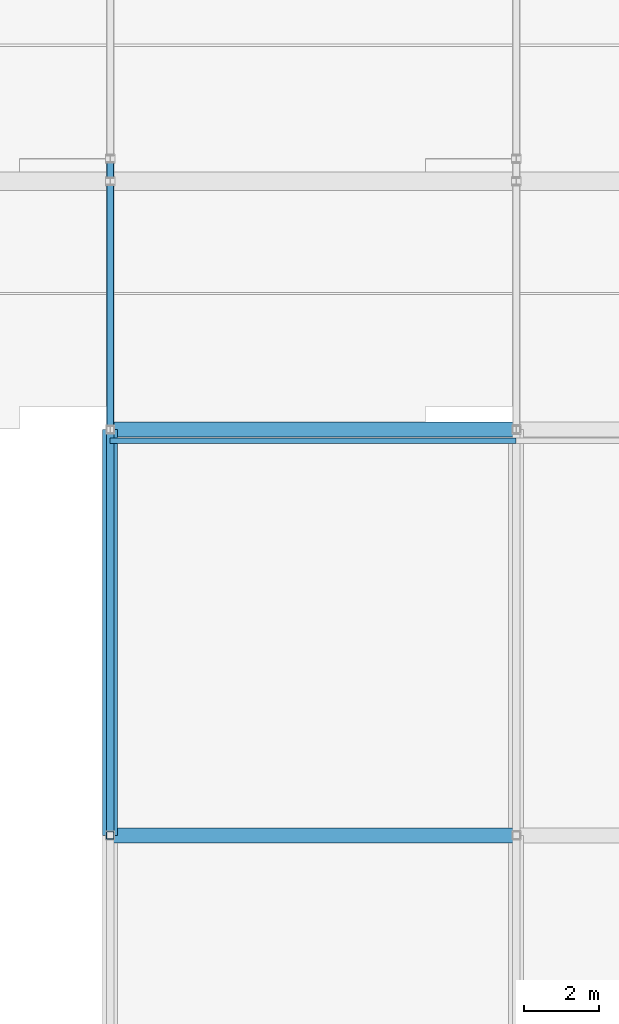
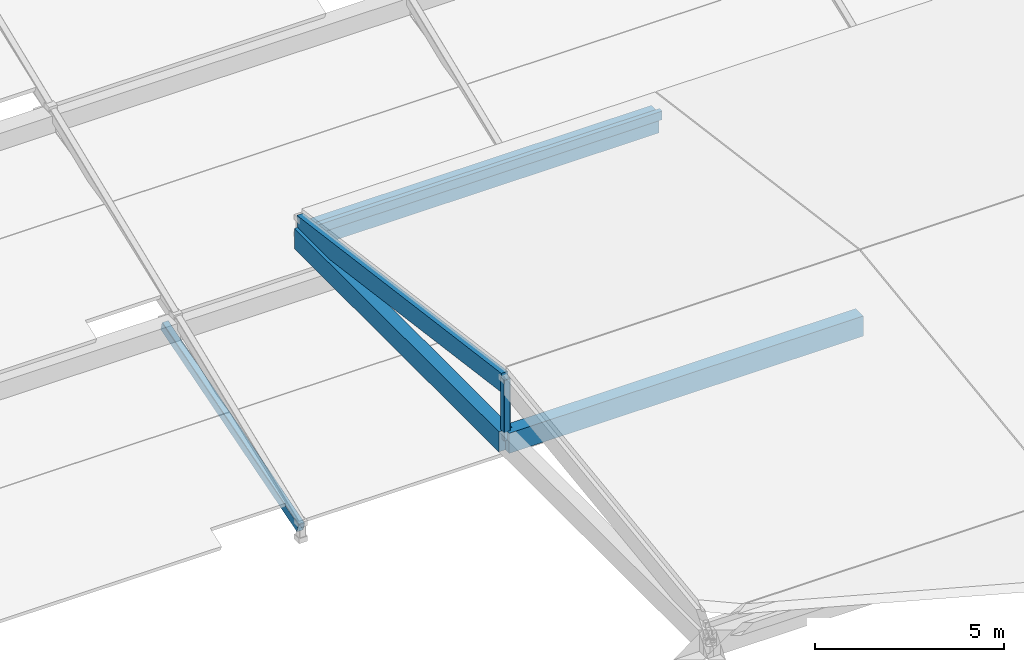
# One storey, part 56 of 112: 4 members, 3 beams.
"""IFC4 building model written with IfcOpenShell, lengths in metres."""

import ifcopenshell
import ifcopenshell.guid

model = None  # the IFC model being written
_history = None  # IfcOwnerHistory: only IFC2X3 demands one
_inside = {}  # id of a spatial element -> (the spatial element, [elements in it])
_under = {}  # id of a project, library or spatial element -> (it, [spatial elements below it])
_declared = {}  # id of a project -> (the project, [libraries it declares])
_typed = {}  # id of a type object -> (the type object, [elements of that type])
_made_of = {}  # id of a material, layer set ... -> (it, [elements and type objects made of it])


def new_model(schema):
    """Start an empty IFC model of exactly this schema.

    Asked for "IFC4X3", IfcOpenShell would pick the latest addendum, in which some entities
    have other attributes; the version numbers below select the first issue.
    IFC2X3 requires an IfcOwnerHistory on every rooted entity: one is made here for all.
    """
    global model, _history
    if schema == "IFC4X3":
        model = ifcopenshell.file(schema_version=(4, 3, 0, 0))
    else:
        model = ifcopenshell.file(schema=schema)
    _inside.clear()
    _under.clear()
    _declared.clear()
    _typed.clear()
    _made_of.clear()
    _history = None
    if model.schema == "IFC2X3":
        org = make("IfcOrganization", Name="unknown")
        user = make(
            "IfcPersonAndOrganization",
            ThePerson=make("IfcPerson", FamilyName="unknown"),
            TheOrganization=org,
        )
        app = make(
            "IfcApplication",
            ApplicationDeveloper=org,
            Version="unknown",
            ApplicationFullName="unknown",
            ApplicationIdentifier="unknown",
        )
        _history = make(
            "IfcOwnerHistory",
            OwningUser=user,
            OwningApplication=app,
            ChangeAction="ADDED",
            CreationDate=0,
        )
    return model


def make(cls, **values):
    """One entity of the class cls with the attributes given. An attribute that is None is left unset."""
    return model.create_entity(
        cls, **{name: value for name, value in values.items() if value is not None}
    )


def rooted(cls, **values):
    """An entity with a GlobalId (a new one), such as an element, a storey or a relation."""
    return make(cls, GlobalId=ifcopenshell.guid.new(), OwnerHistory=_history, **values)


def si_unit(unit_type, name, prefix=None):
    """IfcSIUnit, for example si_unit("LENGTHUNIT", "METRE", prefix="MILLI")."""
    return make("IfcSIUnit", UnitType=unit_type, Prefix=prefix, Name=name)


def assignment(units):
    """IfcUnitAssignment: the units of a project."""
    return None if units is None else make("IfcUnitAssignment", Units=units)


def point(xyz):
    """IfcCartesianPoint."""
    return None if xyz is None else make("IfcCartesianPoint", Coordinates=xyz)


def direction(xyz):
    """IfcDirection."""
    return None if xyz is None else make("IfcDirection", DirectionRatios=xyz)


def frame(location, z_axis=None, x_axis=None):
    """IfcAxis2Placement3D, a coordinate frame: its origin and axes. An axis left out is left unset."""
    return make(
        "IfcAxis2Placement3D",
        Location=point(location),
        Axis=direction(z_axis),
        RefDirection=direction(x_axis),
    )


def frame_2d(location, x_axis=None):
    """IfcAxis2Placement2D, a coordinate frame in the plane: its origin and x axis."""
    return make(
        "IfcAxis2Placement2D", Location=point(location), RefDirection=direction(x_axis)
    )


def origin():
    """The frame at (0, 0, 0) with its axes left unset."""
    return frame((0.0, 0.0, 0.0))


def origin_2d():
    """The frame at (0, 0) in the plane with its x axis left unset."""
    return frame_2d((0.0, 0.0))


def place(relative_to, where):
    """IfcLocalPlacement: puts the frame where relative to a parent placement (None: the world)."""
    return make(
        "IfcLocalPlacement", PlacementRelTo=relative_to, RelativePlacement=where
    )


def context(
    kind, dimensions, precision=None, world=None, true_north=None, identifier=None
):
    """IfcGeometricRepresentationContext, for example the 3D "Model" context."""
    return make(
        "IfcGeometricRepresentationContext",
        ContextIdentifier=identifier,
        ContextType=kind,
        CoordinateSpaceDimension=dimensions,
        Precision=precision,
        WorldCoordinateSystem=world,
        TrueNorth=true_north,
    )


def subcontext(parent, identifier, kind, view, scale=None):
    """IfcGeometricRepresentationSubContext, for example "Body" below "Model"."""
    return make(
        "IfcGeometricRepresentationSubContext",
        ContextIdentifier=identifier,
        ContextType=kind,
        ParentContext=parent,
        TargetScale=scale,
        TargetView=view,
    )


def project(units=None, contexts=None):
    """IfcProject with its units and contexts."""
    return rooted(
        "IfcProject",
        Name="project",
        RepresentationContexts=contexts,
        UnitsInContext=assignment(units),
    )


def spatial(cls, under=None, at=None, **own):
    """A site, building, storey or space (cls), placed at a placement, below another one or the project."""
    s = rooted(cls, ObjectPlacement=at, **own)
    if under is not None:
        _under.setdefault(under.id(), (under, []))[1].append(s)
    return s


def profile(cls, at=None, kind="AREA", **sizes):
    """A parametric profile (cls). Its sizes go by their IFC names, for example OverallWidth=200.0."""
    return make(cls, ProfileType=kind, Position=at, **sizes)


def rectangle(**sizes):
    """IfcRectangleProfileDef."""
    return profile("IfcRectangleProfileDef", **sizes)


def hollow_rectangle(**sizes):
    """IfcRectangleHollowProfileDef."""
    return profile("IfcRectangleHollowProfileDef", **sizes)


def extrude(swept, where, along, depth):
    """IfcExtrudedAreaSolid: the profile swept, set in the frame where, extruded along a direction by depth."""
    return make(
        "IfcExtrudedAreaSolid",
        SweptArea=swept,
        Position=where,
        ExtrudedDirection=direction(along),
        Depth=depth,
    )


def shape(context_of_items, identifier, shape_type, items):
    """IfcShapeRepresentation: the items that make up one representation, for example the "Body"."""
    return make(
        "IfcShapeRepresentation",
        ContextOfItems=context_of_items,
        RepresentationIdentifier=identifier,
        RepresentationType=shape_type,
        Items=items,
    )


def material(Name=None, Category=None):
    """IfcMaterial."""
    return make("IfcMaterial", Name=Name, Category=Category)


def material_profile(
    of_material, cross_section, Name=None, Category=None, Priority=None
):
    """IfcMaterialProfile: a cross section and its material."""
    return make(
        "IfcMaterialProfile",
        Name=Name,
        Material=of_material,
        Profile=cross_section,
        Priority=Priority,
        Category=Category,
    )


def profile_set(profiles, Name=None, composite=None):
    """IfcMaterialProfileSet."""
    return make(
        "IfcMaterialProfileSet",
        Name=Name,
        MaterialProfiles=profiles,
        CompositeProfile=composite,
    )


def made_of(thing, what):
    """Note that an element or type object is made of a material, layer set ...; save() writes the relation."""
    if what is not None:
        _made_of.setdefault(what.id(), (what, []))[1].append(thing)
    return thing


def type_object(cls, material=None, **own):
    """A type object (cls), such as IfcWallType, which elements share."""
    return made_of(rooted(cls, **own), material)


def element(
    cls,
    number,
    at=None,
    inside=None,
    cuts=None,
    type_object=None,
    material=None,
    context=None,
    identifier="Body",
    shape_type=None,
    held_by="IfcProductDefinitionShape",
    body=None,
    shapes=None,
    **own,
):
    """One element of the class cls, such as IfcWall. Its Tag is "e" and its number.

    at: its placement. inside: the storey or other place that contains it. cuts: it is an
    opening in that element (IfcRelVoidsElement). A single representation is given by context,
    identifier, shape_type and body (its items); several are given by shapes. held_by: the class
    of the entity that holds the representations. save() writes the other relations.
    """
    e = rooted(cls, Tag="e%d" % number, ObjectPlacement=at, **own)
    if body is not None:
        shapes = [shape(context, identifier, shape_type, body)]
    if shapes is not None:
        e.Representation = make(held_by, Representations=shapes)
    if inside is not None:
        _inside.setdefault(inside.id(), (inside, []))[1].append(e)
    if cuts is not None:
        rooted(
            "IfcRelVoidsElement", RelatingBuildingElement=cuts, RelatedOpeningElement=e
        )
    if type_object is not None:
        _typed.setdefault(type_object.id(), (type_object, []))[1].append(e)
    return made_of(e, material)


def aggregate(whole, parts):
    """IfcRelAggregates: a whole, such as a stair, and the parts it consists of."""
    return rooted("IfcRelAggregates", RelatingObject=whole, RelatedObjects=parts)


def save(model, path):
    """Write the relations noted so far, then the file.

    IfcRelAggregates (storeys below a building ...), IfcRelContainedInSpatialStructure (elements
    in a storey), IfcRelDefinesByType, IfcRelAssociatesMaterial and IfcRelDeclares: one each for
    every whole, place, type object, material and project.
    """
    for whole, parts in _under.values():
        aggregate(whole, parts)
    for where, things in _inside.values():
        rooted(
            "IfcRelContainedInSpatialStructure",
            RelatedElements=things,
            RelatingStructure=where,
        )
    for kind, things in _typed.values():
        rooted("IfcRelDefinesByType", RelatedObjects=things, RelatingType=kind)
    for what, things in _made_of.values():
        rooted("IfcRelAssociatesMaterial", RelatedObjects=things, RelatingMaterial=what)
    for by, libraries in _declared.values():
        rooted("IfcRelDeclares", RelatingContext=by, RelatedDefinitions=libraries)
    model.write(path)


model = new_model("IFC4")

# Units and contexts
model_context = context("Model", 3, precision=1e-05, world=origin(), true_north=direction((0.0, 1.0)))
body_context = subcontext(model_context, "Body", "Model", "MODEL_VIEW")
ifc_project = project(units=[si_unit("LENGTHUNIT", "METRE"), si_unit("AREAUNIT", "SQUARE_METRE"), si_unit("VOLUMEUNIT", "CUBIC_METRE"), si_unit("PLANEANGLEUNIT", "RADIAN"), si_unit("MASSUNIT", "GRAM", prefix="KILO")], contexts=[model_context])

# Site, building, storey
site_placement = place(None, origin())
site = spatial("IfcSite", under=ifc_project, at=site_placement, CompositionType="ELEMENT")
building_placement = place(site_placement, origin())
building = spatial("IfcBuilding", under=site, at=building_placement, Name="Zwinboog Wholesale Market", CompositionType="ELEMENT")
storey_placement = place(building_placement, frame((0.0, 0.0, 19.080078125)))
storey = spatial("IfcBuildingStorey", under=building, at=storey_placement, Name="Roof", CompositionType="ELEMENT", Elevation=19.080078125)

# Beams
ifc_material_1 = material(Name="Precast concrete C45/55", Category="concrete")
ifc_material_profile_1 = material_profile(ifc_material_1, rectangle(XDim=0.39990234375, YDim=0.64990234375, at=origin_2d()), Name="PC 400x650")
ifc_profile_set_1 = profile_set([ifc_material_profile_1], Name="Precast concrete C45/55")
beam_type = type_object("IfcBeamType", Name="BT-05", PredefinedType="BEAM", material=ifc_profile_set_1)
for number, where, z_axis, x_axis, name in (
    (1, (151.199951171875, 32.39990234375, -0.3251953125), (1.0, 0.0, 0.0), (0.0, 1.0, 0.0), "BG-05 (BMG-Roof-1512-0324-1296)"),
    (2, (151.199951171875, 43.199951171875, -0.3251953125), (1.0, 0.0, 0.0), (0.0, 1.0, 0.0), "BG-05 (BMG-Roof-1512-0432-1297)"),
    (3, (151.199951171875, 32.39990234375, -0.3251953125), (0.0, 1.0, 0.0), (-1.0, 0.0, 0.0), "BG-05 (BMG-Roof-1512-0324-1310)"),
):
    element("IfcBeam", number, at=place(storey_placement, frame(where, z_axis=z_axis, x_axis=x_axis)), inside=storey, type_object=beam_type, Name=name, PredefinedType="BEAM", context=body_context, shape_type="SweptSolid", body=[
        extrude(rectangle(XDim=0.39990234375, YDim=0.64990234375, at=origin_2d()), origin(), (0.0, 0.0, 1.0), 10.800048828125),
    ])

# Members
ifc_material_2 = material(Name="Steel S355", Category="steel")
ifc_material_profile_2 = material_profile(ifc_material_2, hollow_rectangle(XDim=0.199951171875, YDim=0.300048828125, WallThickness=0.012451171875, InnerFilletRadius=0.012451171875, OuterFilletRadius=0.02490234375, at=origin_2d()), Name="RHS 300x200x12.5")
ifc_profile_set_2 = profile_set([ifc_material_profile_2], Name="Steel S355")
member_type_1 = type_object("IfcMemberType", Name="MT-01", PredefinedType="CHORD", material=ifc_profile_set_2)
member_1_placement = place(storey_placement, frame((151.199951171875, 43.199951171875, -9.7001953125), z_axis=(0.0, 0.958185911438, 0.286146394562), x_axis=(-1.0, 0.0, 0.0)))
element("IfcMember", 4, at=member_1_placement, inside=storey, type_object=member_type_1, Name="DC-01 (MEM-Roof-0244)", PredefinedType="CHORD", context=body_context, shape_type="SweptSolid", body=[
    extrude(hollow_rectangle(XDim=0.199951171875, YDim=0.300048828125, WallThickness=0.012451171875, InnerFilletRadius=0.012451171875, OuterFilletRadius=0.02490234375, at=origin_2d()), origin(), (0.0, 0.0, 1.0), 7.51416015625),
])
ifc_material_profile_3 = material_profile(ifc_material_2, hollow_rectangle(XDim=0.199951171875, YDim=0.199951171875, WallThickness=0.010009765625, InnerFilletRadius=0.010009765625, OuterFilletRadius=0.02001953125, at=origin_2d()), Name="SHS 200x200x10")
ifc_profile_set_3 = profile_set([ifc_material_profile_3], Name="Steel S355")
member_type_2 = type_object("IfcMemberType", Name="MT-04", PredefinedType="BRACE", material=ifc_profile_set_3)
member_2_placement = place(storey_placement, frame((151.199951171875, 32.39990234375, -0.280029296875), z_axis=(0.0, 0.0, 1.0), x_axis=(1.0, 0.0, 0.0)))
element("IfcMember", 5, at=member_2_placement, inside=storey, type_object=member_type_2, Name="DB-01 (MEM-Roof-0929)", PredefinedType="BRACE", context=body_context, shape_type="SweptSolid", body=[
    extrude(hollow_rectangle(XDim=0.199951171875, YDim=0.199951171875, WallThickness=0.010009765625, InnerFilletRadius=0.010009765625, OuterFilletRadius=0.02001953125, at=origin_2d()), origin(), (0.0, 0.0, 1.0), 1.949951171875),
])
ifc_material_3 = material(Name="Glulam GL28h", Category="wood")
ifc_material_profile_4 = material_profile(ifc_material_3, rectangle(XDim=0.199951171875, YDim=0.60009765625, at=origin_2d()), Name="GL28h 200x600")
ifc_profile_set_4 = profile_set([ifc_material_profile_4], Name="Glulam GL28h")
member_type_3 = type_object("IfcMemberType", Name="MT-11", PredefinedType="RAFTER", material=ifc_profile_set_4)
member_3_placement = place(storey_placement, frame((151.199951171875, 32.39990234375, 1.52001953125), z_axis=(0.0, 0.99110498434, -0.133082342993), x_axis=(-1.0, 0.0, 0.0)))
element("IfcMember", 6, at=member_3_placement, inside=storey, type_object=member_type_3, Name="GR-03 (MEM-Roof-0931)", PredefinedType="RAFTER", context=body_context, shape_type="SweptSolid", body=[
    extrude(rectangle(XDim=0.199951171875, YDim=0.60009765625, at=origin_2d()), origin(), (0.0, 0.0, 1.0), 10.89697265625),
])
ifc_material_profile_5 = material_profile(ifc_material_3, rectangle(XDim=0.139892578125, YDim=0.280029296875, at=origin_2d()), Name="GL28h 140x280")
ifc_profile_set_5 = profile_set([ifc_material_profile_5], Name="Glulam GL28h")
member_type_4 = type_object("IfcMemberType", Name="MT-13", PredefinedType="PURLIN", material=ifc_profile_set_5)
member_4_placement = place(storey_placement, frame((151.199951171875, 42.89990234375, 0.02001953125), z_axis=(1.0, 0.0, 0.0), x_axis=(0.0, 1.0, 0.0)))
element("IfcMember", 7, at=member_4_placement, inside=storey, type_object=member_type_4, Name="GP-02 (MEM-PRL-Roof-0053)", PredefinedType="PURLIN", context=body_context, shape_type="SweptSolid", body=[
    extrude(rectangle(XDim=0.139892578125, YDim=0.280029296875, at=origin_2d()), origin(), (0.0, 0.0, 1.0), 10.800048828125),
])

save(model, "model.ifc")
